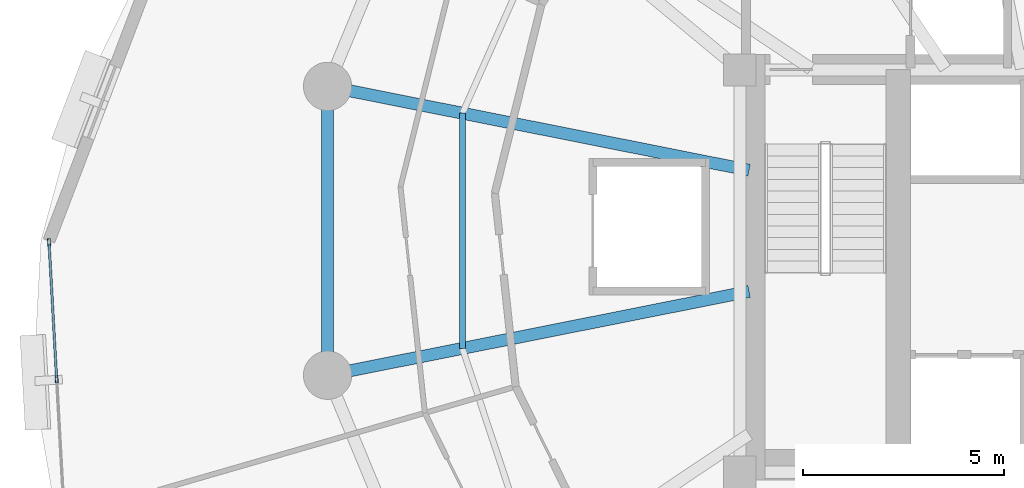
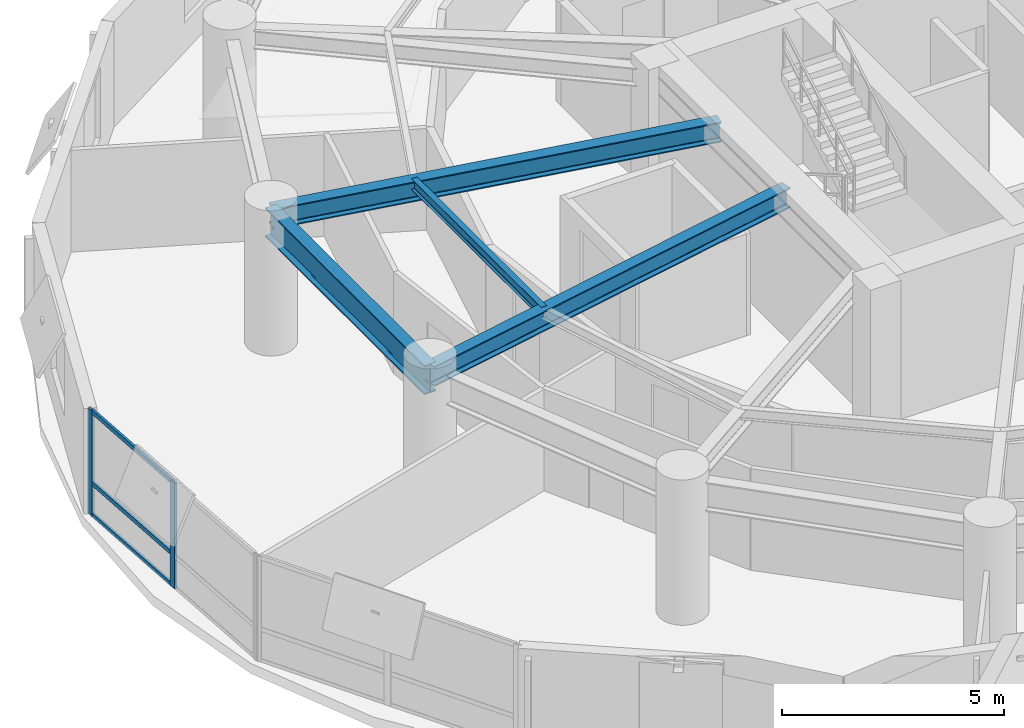
# One storey, part 4 of 15: 5 members, 4 beams, 1 element without a shape of its own.
"""IFC4 building model written with IfcOpenShell, lengths in metres."""

from ifc_helpers import new_model, si_unit, direction, frame, origin, origin_2d, place, context, subcontext, project, spatial, hollow_rectangle, i_section, extrude, material, layer, layer_set, material_profile, profile_set, type_object, element, aggregate, save


model = new_model("IFC4")

# Units and contexts
model_context = context("Model", 3, precision=1e-05, world=origin(), true_north=direction((0.0, 1.0)))
body_context = subcontext(model_context, "Body", "Model", "MODEL_VIEW")
ifc_project = project(units=[si_unit("LENGTHUNIT", "METRE"), si_unit("AREAUNIT", "SQUARE_METRE"), si_unit("VOLUMEUNIT", "CUBIC_METRE"), si_unit("PLANEANGLEUNIT", "RADIAN"), si_unit("MASSUNIT", "GRAM", prefix="KILO"), si_unit("THERMODYNAMICTEMPERATUREUNIT", "KELVIN"), si_unit("POWERUNIT", "WATT")], contexts=[model_context])

# Site, building, storey
site_placement = place(None, origin())
site = spatial("IfcSite", under=ifc_project, at=site_placement, CompositionType="ELEMENT")
building_placement = place(site_placement, origin())
building = spatial("IfcBuilding", under=site, at=building_placement, Name="Ocrelia Relay Tower", CompositionType="ELEMENT")
storey_placement = place(building_placement, frame((0.0, 0.0, 101.800048828125)))
storey = spatial("IfcBuildingStorey", under=building, at=storey_placement, Name="L23", CompositionType="ELEMENT", Elevation=101.800048828125)

# Beams
ifc_material_1 = material(Name="Steel S355", Category="steel")
ifc_material_profile_1 = material_profile(ifc_material_1, i_section(OverallWidth=0.300048828125, OverallDepth=0.550048828125, WebThickness=0.014892578125, FlangeThickness=0.029052734375, FilletRadius=0.027099609375, at=origin_2d()), Name="HEB 550")
ifc_profile_set_1 = profile_set([ifc_material_profile_1], Name="Steel S355")
beam_type_1 = type_object("IfcBeamType", Name="BM-HEB550", PredefinedType="BEAM", material=ifc_profile_set_1)
for number, where, z_axis, x_axis, name in (
    (1, (15.95361328125, 29.589599609375, 3.445068359375), (0.980787592082, -0.195078700063, 0.0), (0.195078700063, 0.980787592082, 0.0), "L23 Radial Floor Girder R08"),
    (2, (15.95361328125, 22.410400390625, 3.445068359375), (0.980787592082, 0.195078700063, 0.0), (-0.195078700063, 0.980787592082, 0.0), "L23 Radial Floor Girder R09"),
):
    element("IfcBeam", number, at=place(storey_placement, frame(where, z_axis=z_axis, x_axis=x_axis)), inside=storey, type_object=beam_type_1, Name=name, PredefinedType="BEAM", context=body_context, shape_type="SweptSolid", body=[
        extrude(i_section(OverallWidth=0.300048828125, OverallDepth=0.550048828125, WebThickness=0.014892578125, FlangeThickness=0.029052734375, FilletRadius=0.027099609375, at=origin_2d()), origin(), (0.0, 0.0, 1.0), 10.681640625),
    ])
ifc_material_profile_2 = material_profile(ifc_material_1, i_section(OverallWidth=0.300048828125, OverallDepth=0.800048828125, WebThickness=0.017578125, FlangeThickness=0.032958984375, FilletRadius=0.030029296875, at=origin_2d()), Name="HEB 800")
ifc_profile_set_2 = profile_set([ifc_material_profile_2], Name="Steel S355")
beam_type_2 = type_object("IfcBeamType", Name="BM-HEB800", PredefinedType="BEAM", material=ifc_profile_set_2)
beam_1_placement = place(storey_placement, frame((15.95361328125, 29.589599609375, 3.320068359375), z_axis=(0.0, -1.0, 0.0), x_axis=(1.0, 0.0, 0.0)))
element("IfcBeam", 3, at=beam_1_placement, inside=storey, type_object=beam_type_2, Name="L23 Perimeter Spandrel Beam S08", PredefinedType="BEAM", context=body_context, shape_type="SweptSolid", body=[
    extrude(i_section(OverallWidth=0.300048828125, OverallDepth=0.800048828125, WebThickness=0.017578125, FlangeThickness=0.032958984375, FilletRadius=0.030029296875, at=origin_2d()), origin(), (0.0, 0.0, 1.0), 7.17919921875),
])
ifc_material_profile_3 = material_profile(ifc_material_1, i_section(OverallWidth=0.14990234375, OverallDepth=0.300048828125, WebThickness=0.007080078125, FlangeThickness=0.0107421875, FilletRadius=0.014892578125, at=origin_2d()), Name="IPE 300")
ifc_profile_set_3 = profile_set([ifc_material_profile_3], Name="Steel S355")
beam_type_3 = type_object("IfcBeamType", Name="BM-IPE300", PredefinedType="JOIST", material=ifc_profile_set_3)
beam_2_placement = place(storey_placement, frame((19.305908203125, 28.9228515625, 3.570068359375), z_axis=(0.0, -1.0, 0.0), x_axis=(1.0, 0.0, 0.0)))
element("IfcBeam", 4, at=beam_2_placement, inside=storey, type_object=beam_type_3, Name="L23 Secondary Floor Joist J08", PredefinedType="JOIST", context=body_context, shape_type="SweptSolid", body=[
    extrude(i_section(OverallWidth=0.14990234375, OverallDepth=0.300048828125, WebThickness=0.007080078125, FlangeThickness=0.0107421875, FilletRadius=0.014892578125, at=origin_2d()), origin(), (0.0, 0.0, 1.0), 5.845703125),
])

# Curtain wall, members
ifc_material_2 = material(Name="Aluminium and solar-control low-E glass", Category="aluminium")
ifc_layer = layer(ifc_material_2, 0.179931640625, Name="Aluminium and solar-control low-E glass")
ifc_layer_set = layer_set([ifc_layer], Name="Aluminium and solar-control low-E glass")
curtain_wall_type = type_object("IfcCurtainWallType", Name="CW-SYS-Z2-SWIT", PredefinedType="NOTDEFINED", material=ifc_layer_set)
curtain_wall_placement = place(storey_placement, origin())
curtain_wall = element("IfcCurtainWall", 5, at=curtain_wall_placement, inside=storey, type_object=curtain_wall_type, Name="L23 Elliptical Tower Curtain Wall Bay 09", PredefinedType="NOTDEFINED")
ifc_material_3 = material(Name="Anodised bronze aluminium", Category="aluminium")
ifc_material_profile_4 = material_profile(ifc_material_3, hollow_rectangle(XDim=0.070068359375, YDim=0.179931640625, WallThickness=0.006103515625, at=origin_2d()), Name="CW-MUL-180x70")
ifc_profile_set_4 = profile_set([ifc_material_profile_4], Name="Anodised bronze aluminium")
member_type_1 = type_object("IfcMemberType", Name="CW-SYS-Z2-SWIT-MUL", PredefinedType="MULLION", material=ifc_profile_set_4)
member_1_placement = place(storey_placement, frame((9.030517578125, 25.712890625, 0.0), z_axis=(0.0, 0.0, 1.0), x_axis=(0.998459413762, 0.055486927026, 0.0)))
member_1 = element("IfcMember", 6, at=member_1_placement, type_object=member_type_1, Name="CW-Z2 mullion 1", PredefinedType="MULLION", context=body_context, shape_type="SweptSolid", body=[
    extrude(hollow_rectangle(XDim=0.070068359375, YDim=0.179931640625, WallThickness=0.006103515625, at=origin_2d()), origin(), (0.0, 0.0, 1.0), 2.89990234375),
])
member_2_placement = place(storey_placement, frame((9.219482421875, 22.3134765625, 0.0), z_axis=(0.0, 0.0, 1.0), x_axis=(0.998459413762, 0.055486927026, 0.0)))
member_2 = element("IfcMember", 7, at=member_2_placement, type_object=member_type_1, Name="CW-Z2 mullion 2", PredefinedType="MULLION", context=body_context, shape_type="SweptSolid", body=[
    extrude(hollow_rectangle(XDim=0.070068359375, YDim=0.179931640625, WallThickness=0.006103515625, at=origin_2d()), origin(), (0.0, 0.0, 1.0), 2.89990234375),
])
ifc_material_profile_5 = material_profile(ifc_material_3, hollow_rectangle(XDim=0.06005859375, YDim=0.1201171875, WallThickness=0.0048828125, at=origin_2d()), Name="CW-TRN-120x60")
ifc_profile_set_5 = profile_set([ifc_material_profile_5], Name="Anodised bronze aluminium")
member_type_2 = type_object("IfcMemberType", Name="CW-SYS-Z2-SWIT-TRN", PredefinedType="USERDEFINED", material=ifc_profile_set_5)
member_3_placement = place(storey_placement, frame((9.032470703125, 25.677978515625, 0.030029296875), z_axis=(0.055494348364, -0.998459001311, 0.0), x_axis=(0.998459001311, 0.055494348364, 0.0)))
member_3 = element("IfcMember", 8, at=member_3_placement, type_object=member_type_2, Name="CW-Z2 transom 1.1", ObjectType="TRANSOM", PredefinedType="USERDEFINED", context=body_context, shape_type="SweptSolid", body=[
    extrude(hollow_rectangle(XDim=0.06005859375, YDim=0.1201171875, WallThickness=0.0048828125, at=origin_2d()), origin(), (0.0, 0.0, 1.0), 3.334716796875),
])
member_4_placement = place(storey_placement, frame((9.032470703125, 25.677978515625, 0.89990234375), z_axis=(0.055494348364, -0.998459001311, 0.0), x_axis=(0.998459001311, 0.055494348364, 0.0)))
member_4 = element("IfcMember", 9, at=member_4_placement, type_object=member_type_2, Name="CW-Z2 transom 1.2", ObjectType="TRANSOM", PredefinedType="USERDEFINED", context=body_context, shape_type="SweptSolid", body=[
    extrude(hollow_rectangle(XDim=0.06005859375, YDim=0.1201171875, WallThickness=0.0048828125, at=origin_2d()), origin(), (0.0, 0.0, 1.0), 3.334716796875),
])
member_5_placement = place(storey_placement, frame((9.032470703125, 25.677978515625, 2.869873046875), z_axis=(0.055494348364, -0.998459001311, 0.0), x_axis=(0.998459001311, 0.055494348364, 0.0)))
member_5 = element("IfcMember", 10, at=member_5_placement, type_object=member_type_2, Name="CW-Z2 transom 1.3", ObjectType="TRANSOM", PredefinedType="USERDEFINED", context=body_context, shape_type="SweptSolid", body=[
    extrude(hollow_rectangle(XDim=0.06005859375, YDim=0.1201171875, WallThickness=0.0048828125, at=origin_2d()), origin(), (0.0, 0.0, 1.0), 3.334716796875),
])
aggregate(curtain_wall, [member_1, member_2, member_3, member_4, member_5])

save(model, "model.ifc")
